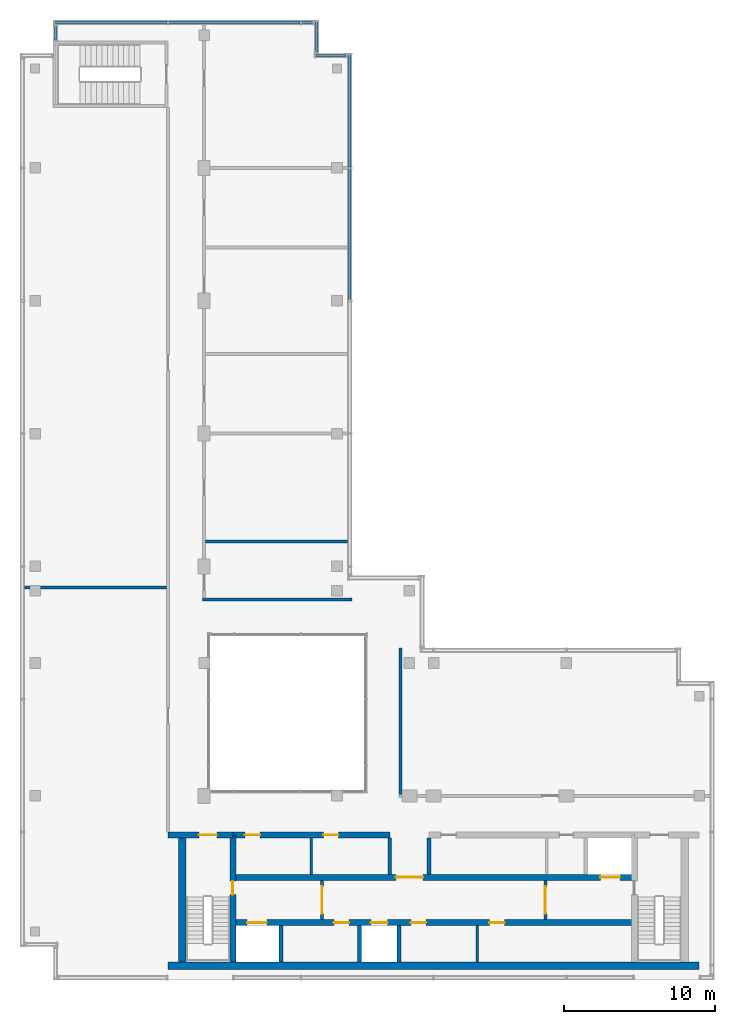
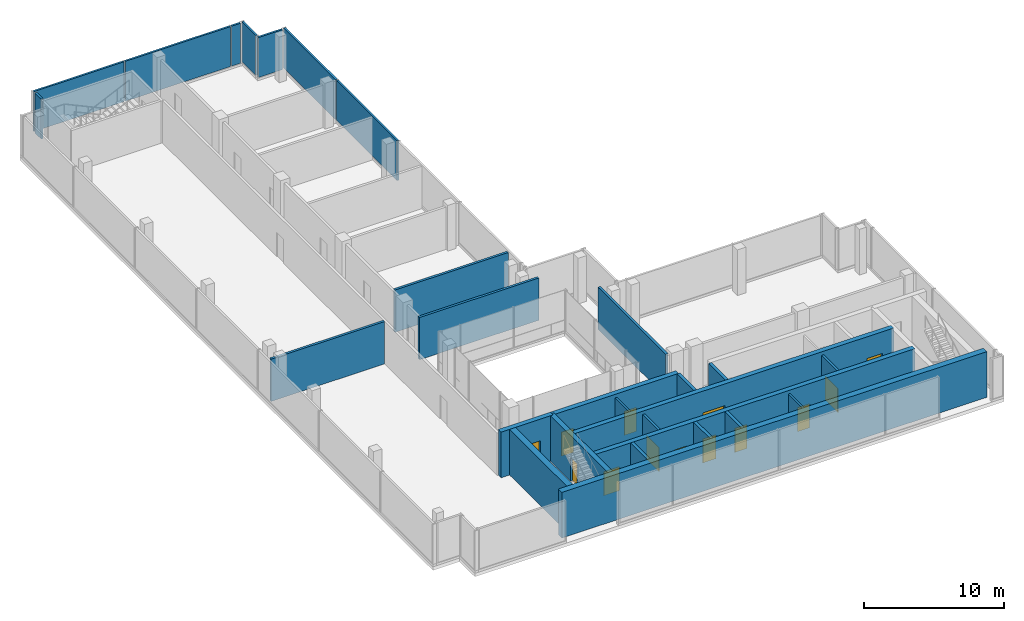
# One storey, part 8 of 10: 20 walls, 13 doors, 8 plates, 13 openings, 5 elements without a shape of their own.
"""IFC4 building model written with IfcOpenShell, lengths in metres."""

from ifc_helpers import new_model, si_unit, direction, frame, frame_2d, origin, origin_2d, place, context, subcontext, project, spatial, rectangle, extrude, source, transform, mapped, material, layer, layer_set, type_object, element, fill, aggregate, save


model = new_model("IFC4")

# Units and contexts
model_context = context("Model", 3, precision=1e-05, world=origin(), true_north=direction((0.0, 1.0)))
body_context = subcontext(model_context, "Body", "Model", "MODEL_VIEW")
ifc_project = project(units=[si_unit("LENGTHUNIT", "METRE"), si_unit("AREAUNIT", "SQUARE_METRE"), si_unit("VOLUMEUNIT", "CUBIC_METRE"), si_unit("PLANEANGLEUNIT", "RADIAN"), si_unit("MASSUNIT", "GRAM", prefix="KILO")], contexts=[model_context])

# Site, building, storey
site_placement = place(None, origin())
site = spatial("IfcSite", under=ifc_project, at=site_placement, CompositionType="ELEMENT")
building_placement = place(site_placement, origin())
building = spatial("IfcBuilding", under=site, at=building_placement, Name="Kemantara Hotel Tower", CompositionType="ELEMENT")
storey_placement = place(building_placement, frame((0.0, 0.0, 314.199951171875)))
storey = spatial("IfcBuildingStorey", under=building, at=storey_placement, Name="L79", CompositionType="ELEMENT", Elevation=314.199951171875)

# Curtain wall, plates
ifc_material_1 = material(Name="Aluminium 6063-T6 bronze anodised", Category="aluminium")
curtain_wall_type = type_object("IfcCurtainWallType", Name="CROWN LOUVRE SCREEN WALL", PredefinedType="USERDEFINED", material=ifc_material_1)
curtain_wall_1_placement = place(storey_placement, origin())
curtain_wall_1 = element("IfcCurtainWall", 1, at=curtain_wall_1_placement, inside=storey, type_object=curtain_wall_type, Name="CW7 L79 CRN-R02-1", ObjectType="CROWN LOUVRE SCREEN WALL", PredefinedType="USERDEFINED")
ifc_material_2 = material(Name="Bronze anodised aluminium louvre blades 3 mm", Category="aluminium")
ifc_layer_1 = layer(ifc_material_2, 0.159912109375)
ifc_layer_set_1 = layer_set([ifc_layer_1], Name="Bronze anodised aluminium louvre blades 3 mm")
plate_type = type_object("IfcPlateType", Name="CROWN LOUVRE SCREEN WALL PANEL", PredefinedType="CURTAIN_PANEL", material=ifc_layer_set_1)
shared_shape_1 = source(origin(), body_context, "Body", "SweptSolid", [
    extrude(rectangle(XDim=0.75, YDim=0.159912109375, at=origin_2d()), origin(), (0.0, 0.0, 1.0), 3.5),
])
plate_1_placement = place(storey_placement, frame((19.02490234375, 63.449951171875, 0.199951171875), z_axis=(0.0, 0.0, 1.0), x_axis=(-1.0, 0.0, 0.0)))
plate_1 = element("IfcPlate", 2, at=plate_1_placement, type_object=plate_type, Name="CW7 louvre panel CRN-R02-1.1", PredefinedType="CURTAIN_PANEL", context=body_context, shape_type="MappedRepresentation", body=[
    mapped(shared_shape_1, transform((0.0, 0.0, 0.0))),
])
shared_shape_2 = source(origin(), body_context, "Body", "SweptSolid", [
    extrude(rectangle(XDim=8.699951171875, YDim=0.159912109375, at=origin_2d()), origin(), (0.0, 0.0, 1.0), 3.5),
])
plate_2_placement = place(storey_placement, frame((14.199951171875, 63.449951171875, 0.199951171875), z_axis=(0.0, 0.0, 1.0), x_axis=(-1.0, 0.0, 0.0)))
plate_2 = element("IfcPlate", 3, at=plate_2_placement, type_object=plate_type, Name="CW7 louvre panel CRN-R02-1.2", PredefinedType="CURTAIN_PANEL", context=body_context, shape_type="MappedRepresentation", body=[
    mapped(shared_shape_2, transform((0.0, 0.0, 0.0))),
])

# Curtain wall, plate
curtain_wall_2_placement = place(storey_placement, origin())
curtain_wall_2 = element("IfcCurtainWall", 4, at=curtain_wall_2_placement, inside=storey, type_object=curtain_wall_type, Name="CW7 L79 CRN-R15-1", ObjectType="CROWN LOUVRE SCREEN WALL", PredefinedType="USERDEFINED")
plate_3_placement = place(storey_placement, frame((21.85009765625, 49.39990234375, 0.199951171875), z_axis=(0.0, 0.0, 1.0), x_axis=(0.0, 1.0, 0.0)))
plate_3 = element("IfcPlate", 5, at=plate_3_placement, type_object=plate_type, Name="CW7 louvre panel CRN-R15-1.4", PredefinedType="CURTAIN_PANEL", context=body_context, shape_type="MappedRepresentation", body=[
    mapped(shared_shape_2, transform((0.0, 0.0, 0.0))),
])

# Plate
shared_shape_3 = source(origin(), body_context, "Body", "SweptSolid", [
    extrude(rectangle(XDim=7.449951171875, YDim=0.159912109375, at=origin_2d()), origin(), (0.0, 0.0, 1.0), 3.5),
])
plate_4_placement = place(storey_placement, frame((6.02490234375, 63.449951171875, 0.199951171875), z_axis=(0.0, 0.0, 1.0), x_axis=(-1.0, 0.0, 0.0)))
plate_4 = element("IfcPlate", 6, at=plate_4_placement, type_object=plate_type, Name="CW7 louvre panel CRN-R02-1.3", PredefinedType="CURTAIN_PANEL", context=body_context, shape_type="MappedRepresentation", body=[
    mapped(shared_shape_3, transform((0.0, 0.0, 0.0))),
])

aggregate(curtain_wall_1, [plate_1, plate_2, plate_4])

plate_5_placement = place(storey_placement, frame((21.85009765625, 57.574951171875, 0.199951171875), z_axis=(0.0, 0.0, 1.0), x_axis=(0.0, 1.0, 0.0)))
plate_5 = element("IfcPlate", 7, at=plate_5_placement, type_object=plate_type, Name="CW7 louvre panel CRN-R15-1.5", PredefinedType="CURTAIN_PANEL", context=body_context, shape_type="MappedRepresentation", body=[
    mapped(shared_shape_3, transform((0.0, 0.0, 0.0))),
])

aggregate(curtain_wall_2, [plate_3, plate_5])

# Curtain wall, plate
curtain_wall_3_placement = place(storey_placement, origin())
curtain_wall_3 = element("IfcCurtainWall", 8, at=curtain_wall_3_placement, inside=storey, type_object=curtain_wall_type, Name="CW7 L79 CRN-R00-1", ObjectType="CROWN LOUVRE SCREEN WALL", PredefinedType="USERDEFINED")
shared_shape_4 = source(origin(), body_context, "Body", "SweptSolid", [
    extrude(rectangle(XDim=2.0, YDim=0.159912109375, at=origin_2d()), origin(), (0.0, 0.0, 1.0), 3.5),
])
plate_6_placement = place(storey_placement, frame((20.60009765625, 61.25, 0.199951171875), z_axis=(0.0, 0.0, 1.0), x_axis=(-1.0, 0.0, 0.0)))
plate_6 = element("IfcPlate", 9, at=plate_6_placement, type_object=plate_type, Name="CW7 louvre panel CRN-R00-1.1", PredefinedType="CURTAIN_PANEL", context=body_context, shape_type="MappedRepresentation", body=[
    mapped(shared_shape_4, transform((0.0, 0.0, 0.0))),
])
aggregate(curtain_wall_3, [plate_6])

curtain_wall_4_placement = place(storey_placement, origin())
curtain_wall_4 = element("IfcCurtainWall", 10, at=curtain_wall_4_placement, inside=storey, type_object=curtain_wall_type, Name="CW7 L79 CRN-R01-1", ObjectType="CROWN LOUVRE SCREEN WALL", PredefinedType="USERDEFINED")
plate_7_placement = place(storey_placement, frame((19.64990234375, 62.5, 0.199951171875), z_axis=(0.0, 0.0, 1.0), x_axis=(0.0, 1.0, 0.0)))
plate_7 = element("IfcPlate", 11, at=plate_7_placement, type_object=plate_type, Name="CW7 louvre panel CRN-R01-1.1", PredefinedType="CURTAIN_PANEL", context=body_context, shape_type="MappedRepresentation", body=[
    mapped(shared_shape_4, transform((0.0, 0.0, 0.0))),
])
aggregate(curtain_wall_4, [plate_7])

curtain_wall_5_placement = place(storey_placement, origin())
curtain_wall_5 = element("IfcCurtainWall", 12, at=curtain_wall_5_placement, inside=storey, type_object=curtain_wall_type, Name="CW7 L79 CRN-R03-1", ObjectType="CROWN LOUVRE SCREEN WALL", PredefinedType="USERDEFINED")
shared_shape_5 = source(origin(), body_context, "Body", "SweptSolid", [
    extrude(rectangle(XDim=0.89990234375, YDim=0.159912109375, at=origin_2d()), origin(), (0.0, 0.0, 1.0), 3.5),
])
plate_8_placement = place(storey_placement, frame((2.35009765625, 62.75, 0.199951171875), z_axis=(0.0, 0.0, 1.0), x_axis=(0.0, -1.0, 0.0)))
plate_8 = element("IfcPlate", 13, at=plate_8_placement, type_object=plate_type, Name="CW7 louvre panel CRN-R03-1.1", PredefinedType="CURTAIN_PANEL", context=body_context, shape_type="MappedRepresentation", body=[
    mapped(shared_shape_5, transform((0.0, 0.0, 0.0))),
])
aggregate(curtain_wall_5, [plate_8])

# Walls
ifc_material_3 = material(Name="Concrete fc 50 MPa", Category="concrete")
ifc_layer_2 = layer(ifc_material_3, 0.25)
ifc_layer_set_2 = layer_set([ifc_layer_2], Name="Concrete fc 50 MPa")
wall_type_1 = type_object("IfcWallType", Name="CORE WALL 250 FC50", PredefinedType="SHEAR", material=ifc_layer_set_2)
for number, where, z_axis, x_axis, name in (
    (14, (17.300048828125, 1.199951171875, 0.0), (0.0, 0.0, 1.0), (0.0, 1.0, 0.0), "CORE WALL CW-DS17.3"),
    (15, (22.5, 1.199951171875, 0.0), (0.0, 0.0, 1.0), (0.0, 1.0, 0.0), "CORE WALL CW-DS22.5"),
    (16, (25.10009765625, 1.199951171875, 0.0), (0.0, 0.0, 1.0), (0.0, 1.0, 0.0), "CORE WALL CW-DS25.1"),
):
    element("IfcWall", number, at=place(storey_placement, frame(where, z_axis=z_axis, x_axis=x_axis)), inside=storey, type_object=wall_type_1, Name=name, PredefinedType="SHEAR", context=body_context, shape_type="SweptSolid", body=[
        extrude(rectangle(XDim=2.400146484375, YDim=0.25, at=frame_2d((1.2001953125, 0.0))), origin(), (0.0, 0.0, 1.0), 4.0),
    ])
for number, where, z_axis, x_axis, name in (
    (17, (24.5, 7.0, 0.0), (0.0, 0.0, 1.0), (0.0, 1.0, 0.0), "CORE WALL CW-DN24.5"),
    (18, (27.10009765625, 7.0, 0.0), (0.0, 0.0, 1.0), (0.0, 1.0, 0.0), "CORE WALL CW-DN27.1"),
):
    element("IfcWall", number, at=place(storey_placement, frame(where, z_axis=z_axis, x_axis=x_axis)), inside=storey, type_object=wall_type_1, Name=name, PredefinedType="SHEAR", context=body_context, shape_type="SweptSolid", body=[
        extrude(rectangle(XDim=2.39990234375, YDim=0.25, at=frame_2d((1.199951171875, 0.0))), origin(), (0.0, 0.0, 1.0), 4.0),
    ])

# Wall, opening, door
ifc_layer_3 = layer(ifc_material_3, 0.39990234375)
ifc_layer_set_3 = layer_set([ifc_layer_3], Name="Concrete fc 50 MPa")
wall_type_2 = type_object("IfcWallType", Name="CORE WALL 400 FC50", PredefinedType="SHEAR", material=ifc_layer_set_3)
wall_1_placement = place(storey_placement, frame((9.800048828125, 9.60009765625, 0.0), z_axis=(0.0, 0.0, 1.0), x_axis=(1.0, 0.0, 0.0)))
wall_1 = element("IfcWall", 19, at=wall_1_placement, inside=storey, type_object=wall_type_2, Name="CORE WALL CW-N1", PredefinedType="SHEAR", context=body_context, shape_type="SweptSolid", body=[
    extrude(rectangle(XDim=4.300048828125, YDim=0.39990234375, at=frame_2d((2.14990234375, 0.0))), origin(), (0.0, 0.0, 1.0), 4.0),
])
opening_1_placement = place(wall_1_placement, frame((2.050048828125, 0.0, 0.0)))
opening_1 = element("IfcOpeningElement", 20, at=opening_1_placement, cuts=wall_1, Name="Opening C45-ST1-C", PredefinedType="OPENING", context=body_context, shape_type="SweptSolid", body=[
    extrude(rectangle(XDim=1.199951171875, YDim=2.10009765625, at=frame_2d((0.60009765625, 1.050048828125))), frame((0.0, 0.2099609375, 0.0), z_axis=(0.0, -1.0, 0.0), x_axis=(1.0, 0.0, 0.0)), (0.0, 0.0, 1.0), 0.419921875),
])
ifc_material_4 = material(Name="Steel fire door", Category="steel")
door_type_1 = type_object("IfcDoorType", Name="Fire door FD90 1200 x 2100", OperationType="NOTDEFINED", PredefinedType="DOOR", material=ifc_material_4)
door_1_placement = place(opening_1_placement, frame((1.199951171875, 0.0, 0.0), z_axis=(0.0, 0.0, 1.0), x_axis=(-1.0, 0.0, 0.0)))
door_1 = element("IfcDoor", 21, at=door_1_placement, inside=storey, type_object=door_type_1, Name="Stair ST1 door to corridor", OperationType="SINGLE_SWING_LEFT", OverallHeight=2.10009765625, OverallWidth=1.199951171875, PredefinedType="DOOR", context=body_context, shape_type="SweptSolid", body=[
    extrude(rectangle(XDim=1.199951171875, YDim=2.10009765625, at=frame_2d((0.60009765625, 1.050048828125))), frame((0.0, 0.02490234375, 0.0), z_axis=(0.0, -1.0, 0.0), x_axis=(1.0, 0.0, 0.0)), (0.0, 0.0, 1.0), 0.050048828125),
])
fill(opening_1, door_1)

# Wall, openings, doors
wall_2_placement = place(storey_placement, frame((14.10009765625, 9.60009765625, 0.0), z_axis=(0.0, 0.0, 1.0), x_axis=(1.0, 0.0, 0.0)))
wall_2 = element("IfcWall", 22, at=wall_2_placement, inside=storey, type_object=wall_type_2, Name="CORE WALL CW-NN1", PredefinedType="SHEAR", context=body_context, shape_type="SweptSolid", body=[
    extrude(rectangle(XDim=10.39990234375, YDim=0.39990234375, at=frame_2d((5.199951171875, 0.0))), origin(), (0.0, 0.0, 1.0), 4.0),
])
opening_2_placement = place(wall_2_placement, frame((0.800048828125, 0.0, 0.0)))
opening_2 = element("IfcOpeningElement", 23, at=opening_2_placement, cuts=wall_2, Name="Opening C45-R-NW1", PredefinedType="OPENING", context=body_context, shape_type="SweptSolid", body=[
    extrude(rectangle(XDim=1.0, YDim=2.10009765625, at=frame_2d((0.5, 1.050048828125))), frame((0.0, 0.2099609375, 0.0), z_axis=(0.0, -1.0, 0.0), x_axis=(1.0, 0.0, 0.0)), (0.0, 0.0, 1.0), 0.419921875),
])
opening_3_placement = place(wall_2_placement, frame((6.0, 0.0, 0.0)))
opening_3 = element("IfcOpeningElement", 24, at=opening_3_placement, cuts=wall_2, Name="Opening C45-R-NW2", PredefinedType="OPENING", context=body_context, shape_type="SweptSolid", body=[
    extrude(rectangle(XDim=1.0, YDim=2.10009765625, at=frame_2d((0.5, 1.050048828125))), frame((0.0, 0.2099609375, 0.0), z_axis=(0.0, -1.0, 0.0), x_axis=(1.0, 0.0, 0.0)), (0.0, 0.0, 1.0), 0.419921875),
])
door_type_2 = type_object("IfcDoorType", Name="Fire door FD60 1000 x 2100", OperationType="NOTDEFINED", PredefinedType="DOOR", material=ifc_material_4)
door_2_placement = place(opening_2_placement, frame((1.0, 0.0, 0.0), z_axis=(0.0, 0.0, 1.0), x_axis=(-1.0, 0.0, 0.0)))
door_2 = element("IfcDoor", 25, at=door_2_placement, inside=storey, type_object=door_type_2, Name="Air Handling Plant Room door", OperationType="SINGLE_SWING_RIGHT", OverallHeight=2.10009765625, OverallWidth=1.0, PredefinedType="DOOR", context=body_context, shape_type="SweptSolid", body=[
    extrude(rectangle(XDim=1.0, YDim=2.10009765625, at=frame_2d((0.5, 1.050048828125))), frame((0.0, 0.02490234375, 0.0), z_axis=(0.0, -1.0, 0.0), x_axis=(1.0, 0.0, 0.0)), (0.0, 0.0, 1.0), 0.050048828125),
])
fill(opening_2, door_2)
door_3_placement = place(opening_3_placement, frame((1.0, 0.0, 0.0), z_axis=(0.0, 0.0, 1.0), x_axis=(-1.0, 0.0, 0.0)))
door_3 = element("IfcDoor", 26, at=door_3_placement, inside=storey, type_object=door_type_2, Name="Chilled Water Plant Room door", OperationType="SINGLE_SWING_LEFT", OverallHeight=2.10009765625, OverallWidth=1.0, PredefinedType="DOOR", context=body_context, shape_type="SweptSolid", body=[
    extrude(rectangle(XDim=1.0, YDim=2.10009765625, at=frame_2d((0.5, 1.050048828125))), frame((0.0, 0.02490234375, 0.0), z_axis=(0.0, -1.0, 0.0), x_axis=(1.0, 0.0, 0.0)), (0.0, 0.0, 1.0), 0.050048828125),
])
fill(opening_3, door_3)

wall_3_placement = place(storey_placement, frame((14.10009765625, 3.800048828125, 0.0), z_axis=(0.0, 0.0, 1.0), x_axis=(1.0, 0.0, 0.0)))
wall_3 = element("IfcWall", 27, at=wall_3_placement, inside=storey, type_object=wall_type_2, Name="CORE WALL CW-L1", PredefinedType="SHEAR", context=body_context, shape_type="SweptSolid", body=[
    extrude(rectangle(XDim=26.599853515625, YDim=0.39990234375, at=frame_2d((13.2998046875, 0.0))), origin(), (0.0, 0.0, 1.0), 4.0),
])
opening_4_placement = place(wall_3_placement, frame((0.949951171875, 0.0, 0.0)))
opening_4 = element("IfcOpeningElement", 28, at=opening_4_placement, cuts=wall_3, Name="Opening C45-LD-FF1", PredefinedType="OPENING", context=body_context, shape_type="SweptSolid", body=[
    extrude(rectangle(XDim=1.300048828125, YDim=2.10009765625, at=frame_2d((0.64990234375, 1.050048828125))), frame((0.0, 0.2099609375, 0.0), z_axis=(0.0, -1.0, 0.0), x_axis=(1.0, 0.0, 0.0)), (0.0, 0.0, 1.0), 0.419921875),
])
opening_5_placement = place(wall_3_placement, frame((9.14990234375, 0.0, 0.0)))
opening_5 = element("IfcOpeningElement", 29, at=opening_5_placement, cuts=wall_3, Name="Opening C45-LD-SV3", PredefinedType="OPENING", context=body_context, shape_type="SweptSolid", body=[
    extrude(rectangle(XDim=1.10009765625, YDim=2.10009765625, at=frame_2d((0.550048828125, 1.050048828125))), frame((0.0, 0.2099609375, 0.0), z_axis=(0.0, -1.0, 0.0), x_axis=(1.0, 0.0, 0.0)), (0.0, 0.0, 1.0), 0.419921875),
])
opening_6_placement = place(wall_3_placement, frame((11.800048828125, 0.0, 0.0)))
opening_6 = element("IfcOpeningElement", 30, at=opening_6_placement, cuts=wall_3, Name="Opening C45-R-SM1", PredefinedType="OPENING", context=body_context, shape_type="SweptSolid", body=[
    extrude(rectangle(XDim=1.0, YDim=2.10009765625, at=frame_2d((0.5, 1.050048828125))), frame((0.0, 0.2099609375, 0.0), z_axis=(0.0, -1.0, 0.0), x_axis=(1.0, 0.0, 0.0)), (0.0, 0.0, 1.0), 0.419921875),
])
opening_7_placement = place(wall_3_placement, frame((17.0, 0.0, 0.0)))
opening_7 = element("IfcOpeningElement", 31, at=opening_7_placement, cuts=wall_3, Name="Opening C45-R-SM2", PredefinedType="OPENING", context=body_context, shape_type="SweptSolid", body=[
    extrude(rectangle(XDim=1.0, YDim=2.10009765625, at=frame_2d((0.5, 1.050048828125))), frame((0.0, 0.2099609375, 0.0), z_axis=(0.0, -1.0, 0.0), x_axis=(1.0, 0.0, 0.0)), (0.0, 0.0, 1.0), 0.419921875),
])
opening_8_placement = place(wall_3_placement, frame((6.699951171875, 0.0, 0.0)))
opening_8 = element("IfcOpeningElement", 32, at=opening_8_placement, cuts=wall_3, Name="Opening C45-R-SW1", PredefinedType="OPENING", context=body_context, shape_type="SweptSolid", body=[
    extrude(rectangle(XDim=1.0, YDim=2.10009765625, at=frame_2d((0.5, 1.050048828125))), frame((0.0, 0.2099609375, 0.0), z_axis=(0.0, -1.0, 0.0), x_axis=(1.0, 0.0, 0.0)), (0.0, 0.0, 1.0), 0.419921875),
])
door_4_placement = place(opening_6_placement, frame((1.0, 0.0, 0.0), z_axis=(0.0, 0.0, 1.0), x_axis=(-1.0, 0.0, 0.0)))
door_4 = element("IfcDoor", 33, at=door_4_placement, inside=storey, type_object=door_type_2, Name="Pump Room door", OperationType="SINGLE_SWING_RIGHT", OverallHeight=2.10009765625, OverallWidth=1.0, PredefinedType="DOOR", context=body_context, shape_type="SweptSolid", body=[
    extrude(rectangle(XDim=1.0, YDim=2.10009765625, at=frame_2d((0.5, 1.050048828125))), frame((0.0, 0.02490234375, 0.0), z_axis=(0.0, -1.0, 0.0), x_axis=(1.0, 0.0, 0.0)), (0.0, 0.0, 1.0), 0.050048828125),
])
fill(opening_6, door_4)
door_5_placement = place(opening_7_placement, frame((1.0, 0.0, 0.0), z_axis=(0.0, 0.0, 1.0), x_axis=(-1.0, 0.0, 0.0)))
door_5 = element("IfcDoor", 34, at=door_5_placement, inside=storey, type_object=door_type_2, Name="Switch Room door", OperationType="SINGLE_SWING_LEFT", OverallHeight=2.10009765625, OverallWidth=1.0, PredefinedType="DOOR", context=body_context, shape_type="SweptSolid", body=[
    extrude(rectangle(XDim=1.0, YDim=2.10009765625, at=frame_2d((0.5, 1.050048828125))), frame((0.0, 0.02490234375, 0.0), z_axis=(0.0, -1.0, 0.0), x_axis=(1.0, 0.0, 0.0)), (0.0, 0.0, 1.0), 0.050048828125),
])
fill(opening_7, door_5)
door_6_placement = place(opening_8_placement, frame((1.0, 0.0, 0.0), z_axis=(0.0, 0.0, 1.0), x_axis=(-1.0, 0.0, 0.0)))
door_6 = element("IfcDoor", 35, at=door_6_placement, inside=storey, type_object=door_type_2, Name="Tank Room door", OperationType="SINGLE_SWING_RIGHT", OverallHeight=2.10009765625, OverallWidth=1.0, PredefinedType="DOOR", context=body_context, shape_type="SweptSolid", body=[
    extrude(rectangle(XDim=1.0, YDim=2.10009765625, at=frame_2d((0.5, 1.050048828125))), frame((0.0, 0.02490234375, 0.0), z_axis=(0.0, -1.0, 0.0), x_axis=(1.0, 0.0, 0.0)), (0.0, 0.0, 1.0), 0.050048828125),
])
fill(opening_8, door_6)
ifc_material_5 = material(Name="Stainless steel lift door", Category="steel")
door_type_3 = type_object("IfcDoorType", Name="Lift landing door 1100 x 2100 FD60", OperationType="DOUBLE_DOOR_SLIDING", PredefinedType="DOOR", material=ifc_material_5)
door_7_placement = place(opening_5_placement, origin())
door_7 = element("IfcDoor", 36, at=door_7_placement, inside=storey, type_object=door_type_3, Name="Lift SV3 landing door", OperationType="DOUBLE_DOOR_SLIDING", OverallHeight=2.10009765625, OverallWidth=1.10009765625, PredefinedType="DOOR", context=body_context, shape_type="SweptSolid", body=[
    extrude(rectangle(XDim=1.10009765625, YDim=2.10009765625, at=frame_2d((0.550048828125, 1.050048828125))), frame((0.0, 0.02490234375, 0.0), z_axis=(0.0, -1.0, 0.0), x_axis=(1.0, 0.0, 0.0)), (0.0, 0.0, 1.0), 0.050048828125),
])
fill(opening_5, door_7)
door_type_4 = type_object("IfcDoorType", Name="Lift landing door 1300 x 2100 FD90", OperationType="DOUBLE_DOOR_SLIDING", PredefinedType="DOOR", material=ifc_material_5)
door_8_placement = place(opening_4_placement, origin())
door_8 = element("IfcDoor", 37, at=door_8_placement, inside=storey, type_object=door_type_4, Name="Lift FF1 landing door", OperationType="DOUBLE_DOOR_SLIDING", OverallHeight=2.10009765625, OverallWidth=1.300048828125, PredefinedType="DOOR", context=body_context, shape_type="SweptSolid", body=[
    extrude(rectangle(XDim=1.300048828125, YDim=2.10009765625, at=frame_2d((0.64990234375, 1.050048828125))), frame((0.0, 0.02490234375, 0.0), z_axis=(0.0, -1.0, 0.0), x_axis=(1.0, 0.0, 0.0)), (0.0, 0.0, 1.0), 0.050048828125),
])
fill(opening_4, door_8)

wall_4_placement = place(storey_placement, frame((14.10009765625, 6.800048828125, 0.0), z_axis=(0.0, 0.0, 1.0), x_axis=(1.0, 0.0, 0.0)))
wall_4 = element("IfcWall", 38, at=wall_4_placement, inside=storey, type_object=wall_type_2, Name="CORE WALL CW-L2", PredefinedType="SHEAR", context=body_context, shape_type="SweptSolid", body=[
    extrude(rectangle(XDim=26.599853515625, YDim=0.39990234375, at=frame_2d((13.2998046875, 0.0))), origin(), (0.0, 0.0, 1.0), 4.0),
])
opening_9_placement = place(wall_4_placement, frame((10.800048828125, 0.0, 0.0)))
opening_9 = element("IfcOpeningElement", 39, at=opening_9_placement, cuts=wall_4, Name="Opening C45-VL", PredefinedType="OPENING", context=body_context, shape_type="SweptSolid", body=[
    extrude(rectangle(XDim=1.800048828125, YDim=2.10009765625, at=frame_2d((0.89990234375, 1.050048828125))), frame((0.0, 0.2099609375, 0.0), z_axis=(0.0, -1.0, 0.0), x_axis=(1.0, 0.0, 0.0)), (0.0, 0.0, 1.0), 0.419921875),
])
opening_10_placement = place(wall_4_placement, frame((24.35009765625, 0.0, 0.0)))
opening_10 = element("IfcOpeningElement", 40, at=opening_10_placement, cuts=wall_4, Name="Opening C45-LD-FF2", PredefinedType="OPENING", context=body_context, shape_type="SweptSolid", body=[
    extrude(rectangle(XDim=1.300048828125, YDim=2.10009765625, at=frame_2d((0.64990234375, 1.050048828125))), frame((0.0, 0.2099609375, 0.0), z_axis=(0.0, -1.0, 0.0), x_axis=(1.0, 0.0, 0.0)), (0.0, 0.0, 1.0), 0.419921875),
])
door_type_5 = type_object("IfcDoorType", Name="Fire door pair FD60 1800 x 2100", OperationType="DOUBLE_DOOR_SINGLE_SWING", PredefinedType="DOOR", material=ifc_material_4)
door_9_placement = place(opening_9_placement, frame((1.800048828125, 0.0, 0.0), z_axis=(0.0, 0.0, 1.0), x_axis=(-1.0, 0.0, 0.0)))
door_9 = element("IfcDoor", 41, at=door_9_placement, inside=storey, type_object=door_type_5, Name="Lift lobby entry door", OperationType="DOUBLE_DOOR_SINGLE_SWING", OverallHeight=2.10009765625, OverallWidth=1.800048828125, PredefinedType="DOOR", context=body_context, shape_type="SweptSolid", body=[
    extrude(rectangle(XDim=1.800048828125, YDim=2.10009765625, at=frame_2d((0.89990234375, 1.050048828125))), frame((0.0, 0.02490234375, 0.0), z_axis=(0.0, -1.0, 0.0), x_axis=(1.0, 0.0, 0.0)), (0.0, 0.0, 1.0), 0.050048828125),
])
fill(opening_9, door_9)
door_10_placement = place(opening_10_placement, origin())
door_10 = element("IfcDoor", 42, at=door_10_placement, inside=storey, type_object=door_type_4, Name="Lift FF2 landing door", OperationType="DOUBLE_DOOR_SLIDING", OverallHeight=2.10009765625, OverallWidth=1.300048828125, PredefinedType="DOOR", context=body_context, shape_type="SweptSolid", body=[
    extrude(rectangle(XDim=1.300048828125, YDim=2.10009765625, at=frame_2d((0.64990234375, 1.050048828125))), frame((0.0, 0.02490234375, 0.0), z_axis=(0.0, -1.0, 0.0), x_axis=(1.0, 0.0, 0.0)), (0.0, 0.0, 1.0), 0.050048828125),
])
fill(opening_10, door_10)

# Wall, opening, door
wall_5_placement = place(storey_placement, frame((14.10009765625, 1.199951171875, 0.0), z_axis=(0.0, 0.0, 1.0), x_axis=(0.0, 1.0, 0.0)))
wall_5 = element("IfcWall", 43, at=wall_5_placement, inside=storey, type_object=wall_type_2, Name="CORE WALL CW-ST1E", PredefinedType="SHEAR", context=body_context, shape_type="SweptSolid", body=[
    extrude(rectangle(XDim=8.400146484375, YDim=0.39990234375, at=frame_2d((4.2001953125, 0.0))), origin(), (0.0, 0.0, 1.0), 4.0),
])
opening_11_placement = place(wall_5_placement, frame((4.449951171875, 0.0, 0.0)))
opening_11 = element("IfcOpeningElement", 44, at=opening_11_placement, cuts=wall_5, Name="Opening C45-ST1-F", PredefinedType="OPENING", context=body_context, shape_type="SweptSolid", body=[
    extrude(rectangle(XDim=0.89990234375, YDim=2.10009765625, at=frame_2d((0.449951171875, 1.050048828125))), frame((0.0, 0.2099609375, 0.0), z_axis=(0.0, -1.0, 0.0), x_axis=(1.0, 0.0, 0.0)), (0.0, 0.0, 1.0), 0.419921875),
])
door_type_6 = type_object("IfcDoorType", Name="Fire door FD90 900 x 2100", OperationType="NOTDEFINED", PredefinedType="DOOR", material=ifc_material_4)
door_11_placement = place(opening_11_placement, origin())
door_11 = element("IfcDoor", 45, at=door_11_placement, inside=storey, type_object=door_type_6, Name="Stair ST1 door to firefighting lobby", OperationType="SINGLE_SWING_RIGHT", OverallHeight=2.10009765625, OverallWidth=0.89990234375, PredefinedType="DOOR", context=body_context, shape_type="SweptSolid", body=[
    extrude(rectangle(XDim=0.89990234375, YDim=2.10009765625, at=frame_2d((0.449951171875, 1.050048828125))), frame((0.0, 0.02490234375, 0.0), z_axis=(0.0, -1.0, 0.0), x_axis=(1.0, 0.0, 0.0)), (0.0, 0.0, 1.0), 0.050048828125),
])
fill(opening_11, door_11)

# Walls
ifc_layer_4 = layer(ifc_material_3, 0.5)
ifc_layer_set_4 = layer_set([ifc_layer_4], Name="Concrete fc 50 MPa")
wall_type_3 = type_object("IfcWallType", Name="CORE WALL 500 FC50", PredefinedType="SHEAR", material=ifc_layer_set_4)
wall_6_placement = place(storey_placement, frame((9.800048828125, 0.949951171875, 0.0), z_axis=(0.0, 0.0, 1.0), x_axis=(1.0, 0.0, 0.0)))
element("IfcWall", 46, at=wall_6_placement, inside=storey, type_object=wall_type_3, Name="CORE WALL CW-S", PredefinedType="SHEAR", context=body_context, shape_type="SweptSolid", body=[
    extrude(rectangle(XDim=35.199951171875, YDim=0.5, at=frame_2d((17.60009765625, 0.0))), origin(), (0.0, 0.0, 1.0), 4.0),
])
wall_7_placement = place(storey_placement, frame((10.75, 1.199951171875, 0.0), z_axis=(0.0, 0.0, 1.0), x_axis=(0.0, 1.0, 0.0)))
element("IfcWall", 47, at=wall_7_placement, inside=storey, type_object=wall_type_3, Name="CORE WALL CW-W", PredefinedType="SHEAR", context=body_context, shape_type="SweptSolid", body=[
    extrude(rectangle(XDim=8.60009765625, YDim=0.5, at=frame_2d((4.300048828125, 0.0))), origin(), (0.0, 0.0, 1.0), 4.0),
])
ifc_material_6 = material(Name="Clay brick masonry", Category="masonry")
ifc_layer_5 = layer(ifc_material_6, 0.199951171875)
ifc_layer_set_5 = layer_set([ifc_layer_5], Name="Clay brick masonry")
wall_type_4 = type_object("IfcWallType", Name="FIRE-RATED CLAY BRICK WALL 200 EI 120", PredefinedType="PARTITIONING", material=ifc_layer_set_5)
for number, where, z_axis, x_axis, name in (
    (48, (12.300048828125, 29.050048828125, 0.0), (0.0, 0.0, 1.0), (1.0, 0.0, 0.0), "FIRE WALL"),
    (49, (0.300048828125, 26.010009765625, 0.0), (0.0, 0.0, 1.0), (1.0, 0.0, 0.0), "FIRE WALL"),
):
    element("IfcWall", number, at=place(storey_placement, frame(where, z_axis=z_axis, x_axis=x_axis)), inside=storey, type_object=wall_type_4, Name=name, PredefinedType="PARTITIONING", context=body_context, shape_type="SweptSolid", body=[
        extrude(rectangle(XDim=9.39990234375, YDim=0.199951171875, at=frame_2d((4.699951171875, 0.0))), origin(), (0.0, 0.0, 1.0), 3.699951171875),
    ])
ifc_material_7 = material(Name="Fire-rated gypsum board partition")
ifc_layer_6 = layer(ifc_material_7, 0.199951171875)
ifc_layer_set_6 = layer_set([ifc_layer_6], Name="Fire-rated gypsum board partition")
wall_type_5 = type_object("IfcWallType", Name="FIRE-RATED GYPSUM PARTITION 200 EI 60", PredefinedType="PARTITIONING", material=ifc_layer_set_6)
wall_8_placement = place(storey_placement, frame((12.10009765625, 25.199951171875, 0.0), z_axis=(0.0, 0.0, 1.0), x_axis=(1.0, 0.0, 0.0)))
element("IfcWall", 50, at=wall_8_placement, inside=storey, type_object=wall_type_5, Name="FIRE-RATED PARTITION", PredefinedType="PARTITIONING", context=body_context, shape_type="SweptSolid", body=[
    extrude(rectangle(XDim=9.89990234375, YDim=0.199951171875, at=frame_2d((4.949951171875, 0.0))), origin(), (0.0, 0.0, 1.0), 3.699951171875),
])
wall_9_placement = place(storey_placement, frame((25.199951171875, 12.300048828125, 0.0), z_axis=(0.0, 0.0, 1.0), x_axis=(0.0, 1.0, 0.0)))
element("IfcWall", 51, at=wall_9_placement, inside=storey, type_object=wall_type_5, Name="FIRE-RATED PARTITION", PredefinedType="PARTITIONING", context=body_context, shape_type="SweptSolid", body=[
    extrude(rectangle(XDim=9.699951171875, YDim=0.199951171875, at=frame_2d((4.85009765625, 0.0))), origin(), (0.0, 0.0, 1.0), 3.699951171875),
])
ifc_material_8 = material(Name="Gypsum board partition")
ifc_layer_7 = layer(ifc_material_8, 0.14990234375)
ifc_layer_set_7 = layer_set([ifc_layer_7], Name="Gypsum board partition")
wall_type_6 = type_object("IfcWallType", Name="Gypsum board partition 150 mm", PredefinedType="PARTITIONING", material=ifc_layer_set_7)
wall_10_placement = place(storey_placement, frame((19.300048828125, 7.0, 0.0), z_axis=(0.0, 0.0, 1.0), x_axis=(0.0, 1.0, 0.0)))
element("IfcWall", 52, at=wall_10_placement, inside=storey, type_object=wall_type_6, Name="Core room partition", PredefinedType="PARTITIONING", context=body_context, shape_type="SweptSolid", body=[
    extrude(rectangle(XDim=2.39990234375, YDim=0.14990234375, at=frame_2d((1.199951171875, 0.0))), origin(), (0.0, 0.0, 1.0), 3.699951171875),
])
wall_11_placement = place(storey_placement, frame((30.300048828125, 1.199951171875, 0.0), z_axis=(0.0, 0.0, 1.0), x_axis=(0.0, 1.0, 0.0)))
element("IfcWall", 53, at=wall_11_placement, inside=storey, type_object=wall_type_6, Name="Core room partition", PredefinedType="PARTITIONING", context=body_context, shape_type="SweptSolid", body=[
    extrude(rectangle(XDim=2.400146484375, YDim=0.14990234375, at=frame_2d((1.2001953125, 0.0))), origin(), (0.0, 0.0, 1.0), 3.699951171875),
])

# Wall, opening, door
ifc_material_9 = material(Name="Gypsum board shaft wall")
ifc_layer_8 = layer(ifc_material_9, 0.199951171875)
ifc_layer_set_8 = layer_set([ifc_layer_8], Name="Gypsum board shaft wall")
wall_type_7 = type_object("IfcWallType", Name="Gypsum board shaft wall 200 mm", PredefinedType="PARTITIONING", material=ifc_layer_set_8)
wall_12_placement = place(storey_placement, frame((20.0, 4.0, 0.0), z_axis=(0.0, 0.0, 1.0), x_axis=(0.0, 1.0, 0.0)))
wall_12 = element("IfcWall", 54, at=wall_12_placement, inside=storey, type_object=wall_type_7, Name="Firefighting lobby partition west", PredefinedType="PARTITIONING", context=body_context, shape_type="SweptSolid", body=[
    extrude(rectangle(XDim=2.60009765625, YDim=0.199951171875, at=frame_2d((1.300048828125, 0.0))), origin(), (0.0, 0.0, 1.0), 3.699951171875),
])
opening_12_placement = place(wall_12_placement, frame((0.39990234375, 0.0, 0.0)))
opening_12 = element("IfcOpeningElement", 55, at=opening_12_placement, cuts=wall_12, Name="Opening C45-FFW", PredefinedType="OPENING", context=body_context, shape_type="SweptSolid", body=[
    extrude(rectangle(XDim=1.800048828125, YDim=2.10009765625, at=frame_2d((0.89990234375, 1.050048828125))), frame((0.0, 0.10986328125, 0.0), z_axis=(0.0, -1.0, 0.0), x_axis=(1.0, 0.0, 0.0)), (0.0, 0.0, 1.0), 0.219970703125),
])
door_12_placement = place(opening_12_placement, origin())
door_12 = element("IfcDoor", 56, at=door_12_placement, inside=storey, type_object=door_type_5, Name="Firefighting lobby door west", OperationType="DOUBLE_DOOR_SINGLE_SWING", OverallHeight=2.10009765625, OverallWidth=1.800048828125, PredefinedType="DOOR", context=body_context, shape_type="SweptSolid", body=[
    extrude(rectangle(XDim=1.800048828125, YDim=2.10009765625, at=frame_2d((0.89990234375, 1.050048828125))), frame((0.0, 0.02490234375, 0.0), z_axis=(0.0, -1.0, 0.0), x_axis=(1.0, 0.0, 0.0)), (0.0, 0.0, 1.0), 0.050048828125),
])
fill(opening_12, door_12)

wall_13_placement = place(storey_placement, frame((34.800048828125, 4.0, 0.0), z_axis=(0.0, 0.0, 1.0), x_axis=(0.0, 1.0, 0.0)))
wall_13 = element("IfcWall", 57, at=wall_13_placement, inside=storey, type_object=wall_type_7, Name="Firefighting lobby partition east", PredefinedType="PARTITIONING", context=body_context, shape_type="SweptSolid", body=[
    extrude(rectangle(XDim=2.60009765625, YDim=0.199951171875, at=frame_2d((1.300048828125, 0.0))), origin(), (0.0, 0.0, 1.0), 3.699951171875),
])
opening_13_placement = place(wall_13_placement, frame((0.39990234375, 0.0, 0.0)))
opening_13 = element("IfcOpeningElement", 58, at=opening_13_placement, cuts=wall_13, Name="Opening C45-FFE", PredefinedType="OPENING", context=body_context, shape_type="SweptSolid", body=[
    extrude(rectangle(XDim=1.800048828125, YDim=2.10009765625, at=frame_2d((0.89990234375, 1.050048828125))), frame((0.0, 0.10986328125, 0.0), z_axis=(0.0, -1.0, 0.0), x_axis=(1.0, 0.0, 0.0)), (0.0, 0.0, 1.0), 0.219970703125),
])
door_13_placement = place(opening_13_placement, frame((1.800048828125, 0.0, 0.0), z_axis=(0.0, 0.0, 1.0), x_axis=(-1.0, 0.0, 0.0)))
door_13 = element("IfcDoor", 59, at=door_13_placement, inside=storey, type_object=door_type_5, Name="Firefighting lobby door east", OperationType="DOUBLE_DOOR_SINGLE_SWING", OverallHeight=2.10009765625, OverallWidth=1.800048828125, PredefinedType="DOOR", context=body_context, shape_type="SweptSolid", body=[
    extrude(rectangle(XDim=1.800048828125, YDim=2.10009765625, at=frame_2d((0.89990234375, 1.050048828125))), frame((0.0, 0.02490234375, 0.0), z_axis=(0.0, -1.0, 0.0), x_axis=(1.0, 0.0, 0.0)), (0.0, 0.0, 1.0), 0.050048828125),
])
fill(opening_13, door_13)

save(model, "model.ifc")
